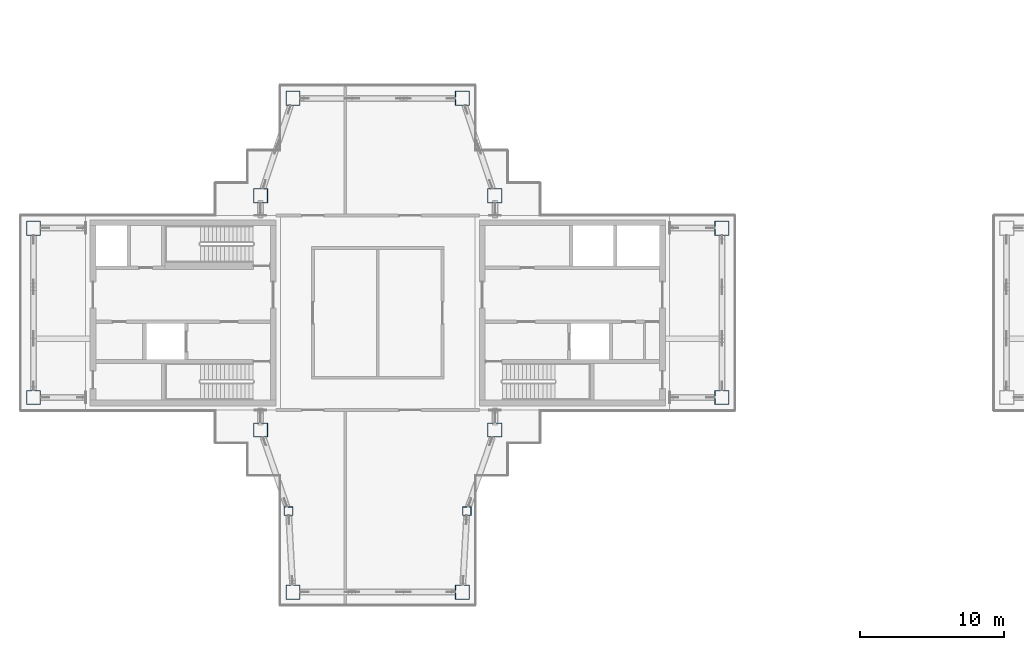
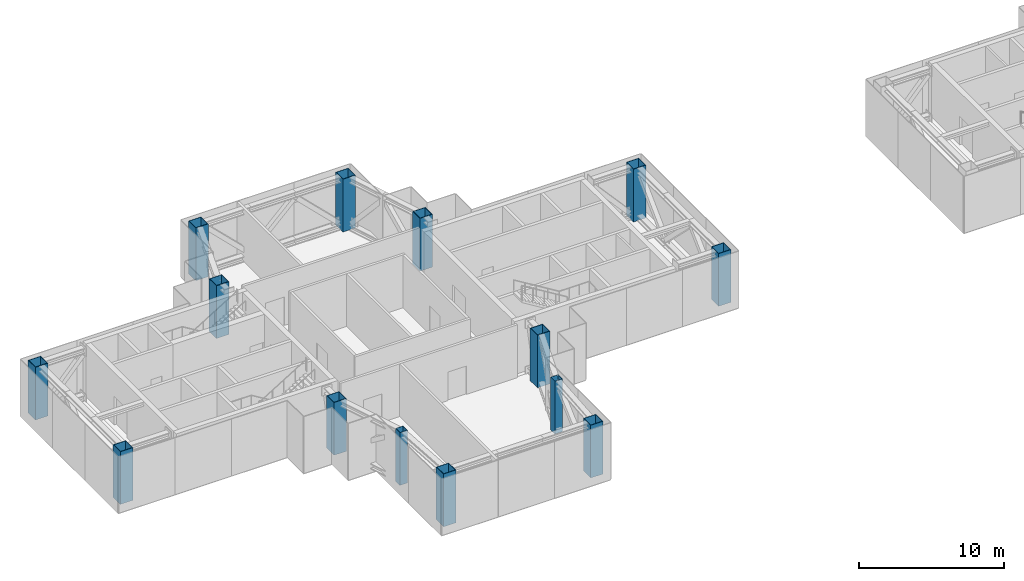
# One storey, part 1 of 18: 14 columns.
"""IFC4 building model written with IfcOpenShell, lengths in metres."""

from ifc_helpers import new_model, si_unit, direction, frame, origin, origin_2d, place, context, subcontext, project, spatial, hollow_rectangle, extrude, material, material_profile, profile_set, type_object, element, save


model = new_model("IFC4")

# Units and contexts
model_context = context("Model", 3, precision=1e-05, world=origin(), true_north=direction((0.0, 1.0)))
body_context = subcontext(model_context, "Body", "Model", "MODEL_VIEW")
ifc_project = project(units=[si_unit("LENGTHUNIT", "METRE"), si_unit("AREAUNIT", "SQUARE_METRE"), si_unit("VOLUMEUNIT", "CUBIC_METRE"), si_unit("PLANEANGLEUNIT", "RADIAN"), si_unit("MASSUNIT", "GRAM", prefix="KILO")], contexts=[model_context])

# Site, building, storey
site_placement = place(None, origin())
site = spatial("IfcSite", under=ifc_project, at=site_placement, CompositionType="ELEMENT")
building_placement = place(site_placement, origin())
building = spatial("IfcBuilding", under=site, at=building_placement, Name="Shamsa Quay Exchange Towers", CompositionType="ELEMENT")
storey_placement = place(building_placement, frame((0.0, 0.0, 225.60009765625)))
storey = spatial("IfcBuildingStorey", under=building, at=storey_placement, Name="L54", CompositionType="ELEMENT", Elevation=225.60009765625)

# Columns
ifc_material_1 = material(Name="Concrete-filled steel tube S355 / C80/95", Category="concrete")
ifc_material_profile_1 = material_profile(ifc_material_1, hollow_rectangle(XDim=1.0, YDim=1.0, WallThickness=0.0400390625, at=origin_2d()), Name="CFT 1000x1000x40")
ifc_profile_set_1 = profile_set([ifc_material_profile_1], Name="Concrete-filled steel tube S355 / C80/95")
column_type_1 = type_object("IfcColumnType", Name="Column CFT 1000x1000x40", PredefinedType="COLUMN", material=ifc_profile_set_1)
for number, where, name in (
    (1, (-25.625, 8.125, 0.0), "Mega column T1-CM01"),
    (2, (-25.625, -8.125, 0.0), "Mega column T1-CM02"),
    (3, (-41.875, 8.125, 0.0), "Mega column T1-CM03"),
    (4, (-41.875, -8.125, 0.0), "Mega column T1-CM04"),
    (5, (-9.875, -5.875, 0.0), "Mega column T1-CM05"),
    (6, (-9.875, 5.875, 0.0), "Mega column T1-CM07"),
    (7, (-57.625, -5.875, 0.0), "Mega column T1-CM09"),
    (8, (-57.625, 5.875, 0.0), "Mega column T1-CM11"),
    (9, (-39.625, 14.875, 0.0), "Mega column T1-CM13"),
    (10, (-27.875, 14.875, 0.0), "Mega column T1-CM16"),
    (11, (-39.625, -19.375, 0.0), "Mega column T1-CM20"),
    (12, (-27.875, -19.375, 0.0), "Mega column T1-CM23"),
):
    element("IfcColumn", number, at=place(storey_placement, frame(where)), inside=storey, type_object=column_type_1, Name=name, PredefinedType="COLUMN", context=body_context, shape_type="SweptSolid", body=[
        extrude(hollow_rectangle(XDim=1.0, YDim=1.0, WallThickness=0.0400390625, at=origin_2d()), origin(), (0.0, 0.0, 1.0), 4.449951171875),
    ])
ifc_material_2 = material(Name="Concrete-filled steel tube S355 / C60/75", Category="concrete")
ifc_material_profile_2 = material_profile(ifc_material_2, hollow_rectangle(XDim=0.60009765625, YDim=0.60009765625, WallThickness=0.02001953125, at=origin_2d()), Name="CFT 600x600x20")
ifc_profile_set_2 = profile_set([ifc_material_profile_2], Name="Concrete-filled steel tube S355 / C60/75")
column_type_2 = type_object("IfcColumnType", Name="Column CFT 600x600x20", PredefinedType="COLUMN", material=ifc_profile_set_2)
for number, where, name in (
    (13, (-39.9375, -13.75, 0.0), "Perimeter column T1-CP19"),
    (14, (-27.5625, -13.75, 0.0), "Perimeter column T1-CP22"),
):
    element("IfcColumn", number, at=place(storey_placement, frame(where)), inside=storey, type_object=column_type_2, Name=name, PredefinedType="COLUMN", context=body_context, shape_type="SweptSolid", body=[
        extrude(hollow_rectangle(XDim=0.60009765625, YDim=0.60009765625, WallThickness=0.02001953125, at=origin_2d()), origin(), (0.0, 0.0, 1.0), 4.449951171875),
    ])

save(model, "model.ifc")
